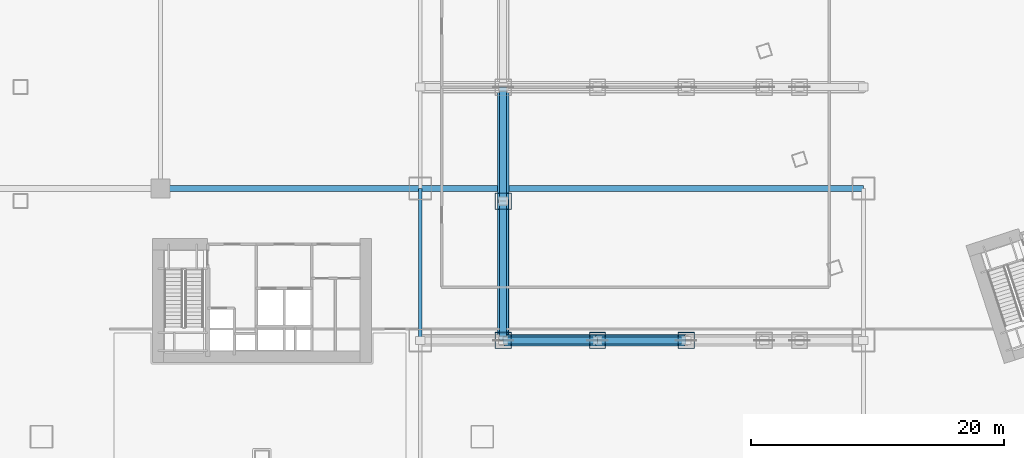
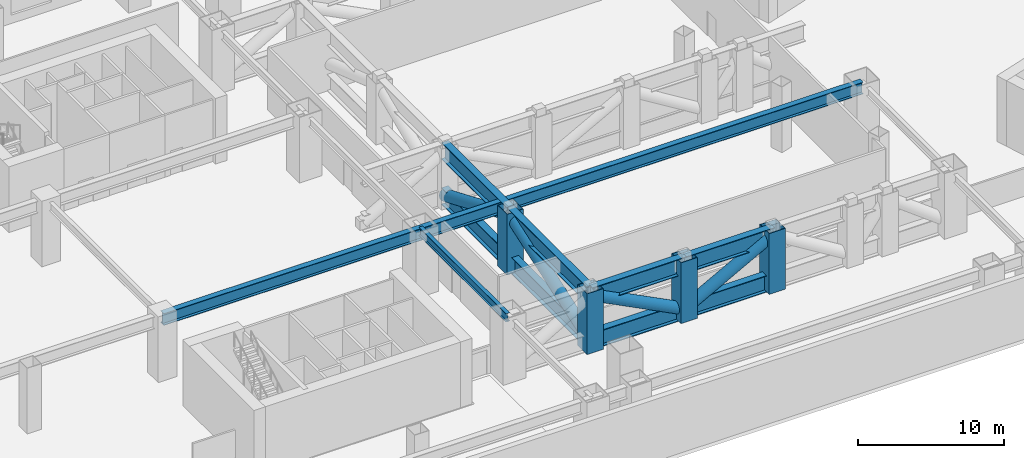
# One storey, part 9 of 34: 11 beams, 8 members.
"""IFC4 building model written with IfcOpenShell, lengths in metres."""

from ifc_helpers import new_model, si_unit, direction, frame, origin, origin_2d, place, context, subcontext, project, spatial, hollow_rectangle, hollow_circle, i_section, extrude, material, material_profile, profile_set, type_object, element, save


model = new_model("IFC4")

# Units and contexts
model_context = context("Model", 3, precision=1e-05, world=origin(), true_north=direction((0.0, 1.0)))
body_context = subcontext(model_context, "Body", "Model", "MODEL_VIEW")
ifc_project = project(units=[si_unit("LENGTHUNIT", "METRE"), si_unit("AREAUNIT", "SQUARE_METRE"), si_unit("VOLUMEUNIT", "CUBIC_METRE"), si_unit("PLANEANGLEUNIT", "RADIAN"), si_unit("MASSUNIT", "GRAM", prefix="KILO")], contexts=[model_context])

# Site, building, storey
site_placement = place(None, origin())
site = spatial("IfcSite", under=ifc_project, at=site_placement, CompositionType="ELEMENT")
building_placement = place(site_placement, origin())
building = spatial("IfcBuilding", under=site, at=building_placement, Name="Qiaolan Cultural Towers", CompositionType="ELEMENT")
storey_placement = place(building_placement, frame((0.0, 0.0, 16.5)))
storey = spatial("IfcBuildingStorey", under=building, at=storey_placement, Name="L03", CompositionType="ELEMENT", Elevation=16.5)

# Beams
ifc_material_1 = material(Name="Steel Q390GJB", Category="steel")
ifc_material_profile_1 = material_profile(ifc_material_1, i_section(OverallWidth=0.449951171875, OverallDepth=1.0, WebThickness=0.02392578125, FlangeThickness=0.0400390625, at=origin_2d()), Name="BH1000x450x24x40")
ifc_profile_set_1 = profile_set([ifc_material_profile_1], Name="Steel Q390GJB")
beam_type_1 = type_object("IfcBeamType", Name="BM-BH1000x450x24x40", PredefinedType="BEAM", material=ifc_profile_set_1)
beam_1_placement = place(storey_placement, frame((22.0, 26.0, 4.699951171875), z_axis=(1.0, 0.0, 0.0), x_axis=(0.0, 1.0, 0.0)))
element("IfcBeam", 1, at=beam_1_placement, inside=storey, type_object=beam_type_1, Name="L03 Podium Primary Girder Y=26.0", PredefinedType="BEAM", context=body_context, shape_type="SweptSolid", body=[
    extrude(i_section(OverallWidth=0.449951171875, OverallDepth=1.0, WebThickness=0.02392578125, FlangeThickness=0.0400390625, at=origin_2d()), origin(), (0.0, 0.0, 1.0), 20.5),
])
beam_2_placement = place(storey_placement, frame((42.5, 26.0, 4.699951171875), z_axis=(1.0, 0.0, 0.0), x_axis=(0.0, 1.0, 0.0)))
element("IfcBeam", 2, at=beam_2_placement, inside=storey, type_object=beam_type_1, Name="L03 Podium Primary Girder Y=26.0", PredefinedType="BEAM", context=body_context, shape_type="SweptSolid", body=[
    extrude(i_section(OverallWidth=0.449951171875, OverallDepth=1.0, WebThickness=0.02392578125, FlangeThickness=0.0400390625, at=origin_2d()), origin(), (0.0, 0.0, 1.0), 35.0),
])
ifc_material_2 = material(Name="Steel Q420GJB", Category="steel")
ifc_material_profile_2 = material_profile(ifc_material_2, i_section(OverallWidth=0.550048828125, OverallDepth=1.39990234375, WebThickness=0.031982421875, FlangeThickness=0.050048828125, at=origin_2d()), Name="BH1400x550x32x50")
ifc_profile_set_2 = profile_set([ifc_material_profile_2], Name="Steel Q420GJB")
beam_type_2 = type_object("IfcBeamType", Name="BM-BH1400x550x32x50", PredefinedType="BEAM", material=ifc_profile_set_2)
for number, where, z_axis, x_axis, name in (
    (3, (49.050048828125, 14.0, 0.699951171875), (1.0, 0.0, 0.0), (0.0, 1.0, 0.0), "L03 Podium Transfer Truss 1 Bottom Chord 2"),
    (4, (49.050048828125, 14.0, 4.5), (1.0, 0.0, 0.0), (0.0, 1.0, 0.0), "L03 Podium Transfer Truss 1 Top Chord 2"),
):
    element("IfcBeam", number, at=place(storey_placement, frame(where, z_axis=z_axis, x_axis=x_axis)), inside=storey, type_object=beam_type_2, Name=name, PredefinedType="BEAM", context=body_context, shape_type="SweptSolid", body=[
        extrude(i_section(OverallWidth=0.550048828125, OverallDepth=1.39990234375, WebThickness=0.031982421875, FlangeThickness=0.050048828125, at=origin_2d()), origin(), (0.0, 0.0, 1.0), 7.449951171875),
    ])
for number, where, z_axis, x_axis, name in (
    (5, (56.5, 14.0, 0.699951171875), (1.0, 0.0, 0.0), (0.0, 1.0, 0.0), "L03 Podium Transfer Truss 1 Bottom Chord 3"),
    (6, (56.5, 14.0, 4.5), (1.0, 0.0, 0.0), (0.0, 1.0, 0.0), "L03 Podium Transfer Truss 1 Top Chord 3"),
):
    element("IfcBeam", number, at=place(storey_placement, frame(where, z_axis=z_axis, x_axis=x_axis)), inside=storey, type_object=beam_type_2, Name=name, PredefinedType="BEAM", context=body_context, shape_type="SweptSolid", body=[
        extrude(i_section(OverallWidth=0.550048828125, OverallDepth=1.39990234375, WebThickness=0.031982421875, FlangeThickness=0.050048828125, at=origin_2d()), origin(), (0.0, 0.0, 1.0), 7.0),
    ])
beam_3_placement = place(storey_placement, frame((49.050048828125, 14.0, 0.699951171875), z_axis=(0.0, 1.0, 0.0), x_axis=(-1.0, 0.0, 0.0)))
element("IfcBeam", 7, at=beam_3_placement, inside=storey, type_object=beam_type_2, Name="L03 Transfer Sub-Truss Bottom Chord T1-PC-E1 S", PredefinedType="BEAM", context=body_context, shape_type="SweptSolid", body=[
    extrude(i_section(OverallWidth=0.550048828125, OverallDepth=1.39990234375, WebThickness=0.031982421875, FlangeThickness=0.050048828125, at=origin_2d()), origin(), (0.0, 0.0, 1.0), 11.0),
])
for number, where, z_axis, x_axis, name in (
    (8, (49.050048828125, 25.0, 0.699951171875), (0.0, 1.0, 0.0), (-1.0, 0.0, 0.0), "L03 Transfer Sub-Truss Bottom Chord T1-PC-E1 N"),
    (9, (49.050048828125, 25.0, 4.5), (0.0, 1.0, 0.0), (-1.0, 0.0, 0.0), "L03 Transfer Carrier Girder T1-PC-E1 North"),
):
    element("IfcBeam", number, at=place(storey_placement, frame(where, z_axis=z_axis, x_axis=x_axis)), inside=storey, type_object=beam_type_2, Name=name, PredefinedType="BEAM", context=body_context, shape_type="SweptSolid", body=[
        extrude(i_section(OverallWidth=0.550048828125, OverallDepth=1.39990234375, WebThickness=0.031982421875, FlangeThickness=0.050048828125, at=origin_2d()), origin(), (0.0, 0.0, 1.0), 9.0),
    ])
beam_4_placement = place(storey_placement, frame((49.050048828125, 14.0, 4.5), z_axis=(0.0, 1.0, 0.0), x_axis=(-1.0, 0.0, 0.0)))
element("IfcBeam", 10, at=beam_4_placement, inside=storey, type_object=beam_type_2, Name="L03 Transfer Carrier Girder T1-PC-E1 South", PredefinedType="BEAM", context=body_context, shape_type="SweptSolid", body=[
    extrude(i_section(OverallWidth=0.550048828125, OverallDepth=1.39990234375, WebThickness=0.031982421875, FlangeThickness=0.050048828125, at=origin_2d()), origin(), (0.0, 0.0, 1.0), 11.0),
])
ifc_material_3 = material(Name="Steel Q355B", Category="steel")
ifc_material_profile_3 = material_profile(ifc_material_3, i_section(OverallWidth=0.300048828125, OverallDepth=0.699951171875, WebThickness=0.012939453125, FlangeThickness=0.02392578125, at=origin_2d()), Name="HN700x300x13x24")
ifc_profile_set_3 = profile_set([ifc_material_profile_3], Name="Steel Q355B")
beam_type_3 = type_object("IfcBeamType", Name="BM-HN700x300x13x24", PredefinedType="BEAM", material=ifc_profile_set_3)
beam_5_placement = place(storey_placement, frame((42.5, 14.0, 4.85009765625), z_axis=(0.0, 1.0, 0.0), x_axis=(-1.0, 0.0, 0.0)))
element("IfcBeam", 11, at=beam_5_placement, inside=storey, type_object=beam_type_3, Name="L03 Podium Transverse Beam X=42.5", PredefinedType="BEAM", context=body_context, shape_type="SweptSolid", body=[
    extrude(i_section(OverallWidth=0.300048828125, OverallDepth=0.699951171875, WebThickness=0.012939453125, FlangeThickness=0.02392578125, at=origin_2d()), origin(), (0.0, 0.0, 1.0), 12.0),
])

# Members
ifc_material_4 = material(Name="Steel Q390GJB", Category="steel")
ifc_material_profile_4 = material_profile(ifc_material_4, hollow_circle(Radius=0.449951171875, WallThickness=0.044921875, at=origin_2d()), Name="CHS900x45")
ifc_profile_set_4 = profile_set([ifc_material_profile_4], Name="Steel Q390GJB")
member_type_1 = type_object("IfcMemberType", Name="MBR-BRC-CHS900x45", PredefinedType="BRACE", material=ifc_profile_set_4)
member_1_placement = place(storey_placement, frame((49.050048828125, 14.0, 4.5), z_axis=(0.89080768942, 0.0, -0.454380523868), x_axis=(0.0, 1.0, 0.0)))
element("IfcMember", 12, at=member_1_placement, inside=storey, type_object=member_type_1, Name="L03 Podium Transfer Truss 1 Diagonal 2", PredefinedType="BRACE", context=body_context, shape_type="SweptSolid", body=[
    extrude(hollow_circle(Radius=0.449951171875, WallThickness=0.044921875, at=origin_2d()), origin(), (0.0, 0.0, 1.0), 8.363037109375),
])
member_2_placement = place(storey_placement, frame((56.5, 14.0, 0.699951171875), z_axis=(0.878850861224, 0.0, 0.477096597899), x_axis=(0.0, 1.0, 0.0)))
element("IfcMember", 13, at=member_2_placement, inside=storey, type_object=member_type_1, Name="L03 Podium Transfer Truss 1 Diagonal 3", PredefinedType="BRACE", context=body_context, shape_type="SweptSolid", body=[
    extrude(hollow_circle(Radius=0.449951171875, WallThickness=0.044921875, at=origin_2d()), origin(), (0.0, 0.0, 1.0), 7.96484375),
])
member_3_placement = place(storey_placement, frame((49.050048828125, 14.0, 0.699951171875), z_axis=(0.0, 0.945188910593, 0.326524001096), x_axis=(-1.0, 0.0, 0.0)))
element("IfcMember", 14, at=member_3_placement, inside=storey, type_object=member_type_1, Name="L03 Transfer Sub-Truss Diagonal T1-PC-E1-1", PredefinedType="BRACE", context=body_context, shape_type="SweptSolid", body=[
    extrude(hollow_circle(Radius=0.449951171875, WallThickness=0.044921875, at=origin_2d()), origin(), (0.0, 0.0, 1.0), 11.637939453125),
])
member_4_placement = place(storey_placement, frame((49.050048828125, 34.0, 0.699951171875), z_axis=(0.0, -0.921247770385, 0.388976278918), x_axis=(1.0, 0.0, 0.0)))
element("IfcMember", 15, at=member_4_placement, inside=storey, type_object=member_type_1, Name="L03 Transfer Sub-Truss Diagonal T1-PC-E1-2", PredefinedType="BRACE", context=body_context, shape_type="SweptSolid", body=[
    extrude(hollow_circle(Radius=0.449951171875, WallThickness=0.044921875, at=origin_2d()), origin(), (0.0, 0.0, 1.0), 9.769287109375),
])
ifc_material_5 = material(Name="Steel Q390GJB", Category="steel")
ifc_material_profile_5 = material_profile(ifc_material_5, hollow_rectangle(XDim=1.300048828125, YDim=1.300048828125, WallThickness=0.044921875, at=origin_2d()), Name="BOX1300x1300x45")
ifc_profile_set_5 = profile_set([ifc_material_profile_5], Name="Steel Q390GJB")
member_type_2 = type_object("IfcMemberType", Name="MBR-POST-BOX1300x1300x45", PredefinedType="STUD", material=ifc_profile_set_5)
for number, where, z_axis, x_axis, name in (
    (16, (49.050048828125, 14.0, 0.050048828125), (0.0, 0.0, 1.0), (1.0, 0.0, 0.0), "L03 Podium Transfer Truss 1 Vertical Web 1"),
    (17, (56.5, 14.0, 0.050048828125), (0.0, 0.0, 1.0), (1.0, 0.0, 0.0), "L03 Podium Transfer Truss 1 Vertical Web 2"),
    (18, (63.5, 14.0, 0.050048828125), (0.0, 0.0, 1.0), (1.0, 0.0, 0.0), "L03 Podium Transfer Truss 1 Vertical Web 3"),
    (19, (49.050048828125, 25.0, 0.050048828125), (0.0, 0.0, 1.0), (1.0, 0.0, 0.0), "L03 Transfer Sub-Truss Web T1-PC-E1"),
):
    element("IfcMember", number, at=place(storey_placement, frame(where, z_axis=z_axis, x_axis=x_axis)), inside=storey, type_object=member_type_2, Name=name, PredefinedType="STUD", context=body_context, shape_type="SweptSolid", body=[
        extrude(hollow_rectangle(XDim=1.300048828125, YDim=1.300048828125, WallThickness=0.044921875, at=origin_2d()), origin(), (0.0, 0.0, 1.0), 5.099853515625),
    ])

save(model, "model.ifc")
